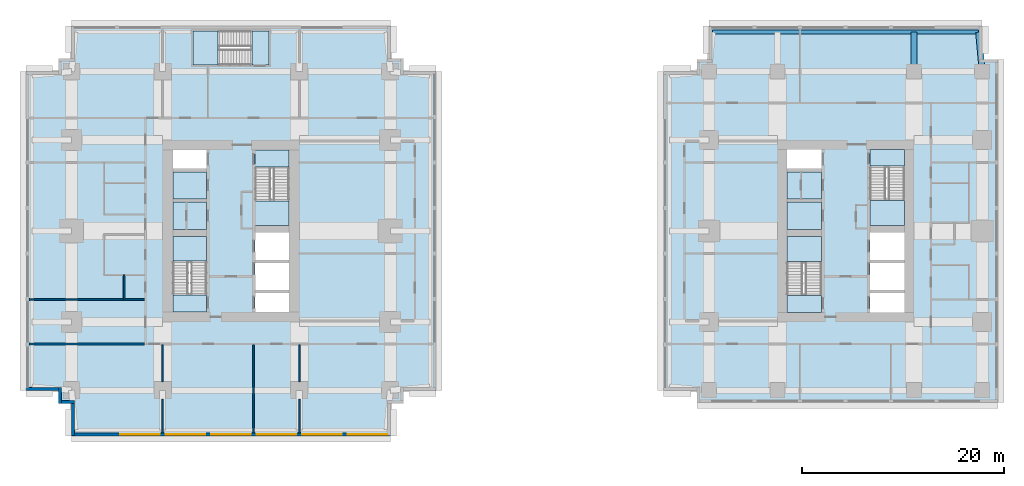
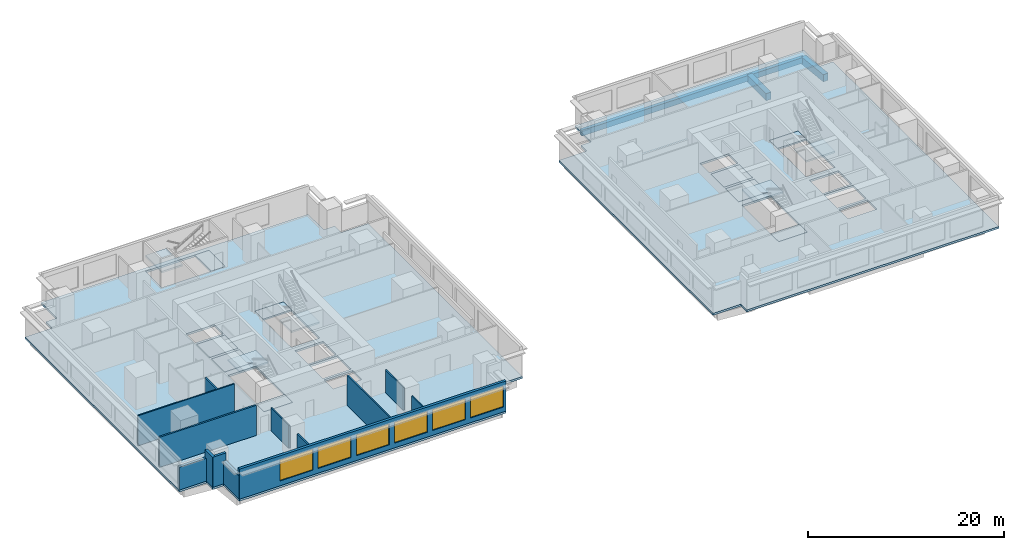
# One storey, part 2 of 10: 16 slabs, 13 walls, 6 windows, 3 beams, 6 openings, 5 elements without a shape of their own.
"""IFC4 building model written with IfcOpenShell, lengths in metres."""

from ifc_helpers import new_model, si_unit, direction, frame, frame_2d, origin, origin_2d, place, context, subcontext, project, spatial, polyline, rectangle, outline, extrude, material, layer, layer_set, material_profile, profile_set, type_object, element, fill, aggregate, save


model = new_model("IFC4")

# Units and contexts
model_context = context("Model", 3, precision=1e-05, world=origin(), true_north=direction((0.0, 1.0)))
body_context = subcontext(model_context, "Body", "Model", "MODEL_VIEW")
ifc_project = project(units=[si_unit("LENGTHUNIT", "METRE"), si_unit("AREAUNIT", "SQUARE_METRE"), si_unit("VOLUMEUNIT", "CUBIC_METRE"), si_unit("PLANEANGLEUNIT", "RADIAN"), si_unit("MASSUNIT", "GRAM", prefix="KILO")], contexts=[model_context])

# Site, building, storey
site_placement = place(None, origin())
site = spatial("IfcSite", under=ifc_project, at=site_placement, CompositionType="ELEMENT")
building_placement = place(site_placement, origin())
building = spatial("IfcBuilding", under=site, at=building_placement, Name="Namib Vertical Campus", CompositionType="ELEMENT")
storey_placement = place(building_placement, frame((0.0, 0.0, 145.0)))
storey = spatial("IfcBuildingStorey", under=building, at=storey_placement, Name="L34", CompositionType="ELEMENT", Elevation=145.0)

# Beams
ifc_material_1 = material(Name="Concrete C40/50", Category="concrete")
ifc_material_profile_1 = material_profile(ifc_material_1, rectangle(XDim=0.60009765625, YDim=0.89990234375, at=origin_2d()))
ifc_profile_set_1 = profile_set([ifc_material_profile_1], Name="Concrete C40/50")
beam_type_1 = type_object("IfcBeamType", Name="Cantilever girder RC 600x900", PredefinedType="BEAM", material=ifc_profile_set_1)
beam_1_placement = place(storey_placement, frame((87.75, 36.0, -0.699951171875), z_axis=(0.0, 1.0, 0.0), x_axis=(-1.0, 0.0, 0.0)))
element("IfcBeam", 1, at=beam_1_placement, inside=storey, type_object=beam_type_1, Name="Beam B3 L34", PredefinedType="BEAM", context=body_context, shape_type="SweptSolid", body=[
    extrude(rectangle(XDim=0.60009765625, YDim=0.89990234375, at=origin_2d()), origin(), (0.0, 0.0, 1.0), 3.89990234375),
])
beam_2_placement = place(storey_placement, frame((94.5, 36.0, -0.699951171875), z_axis=(-0.089411326146, 0.995994786511, 0.0), x_axis=(-0.995994786511, -0.089411326146, 0.0)))
element("IfcBeam", 2, at=beam_2_placement, inside=storey, type_object=beam_type_1, Name="Beam B3 L34", PredefinedType="BEAM", context=body_context, shape_type="SweptSolid", body=[
    extrude(rectangle(XDim=0.60009765625, YDim=0.89990234375, at=origin_2d()), origin(), (0.0, 0.0, 1.0), 3.91552734375),
])
ifc_material_2 = material(Name="Concrete C40/50", Category="concrete")
ifc_material_profile_2 = material_profile(ifc_material_2, rectangle(XDim=0.39990234375, YDim=0.699951171875, at=origin_2d()))
ifc_profile_set_2 = profile_set([ifc_material_profile_2], Name="Concrete C40/50")
beam_type_2 = type_object("IfcBeamType", Name="Edge beam RC 400x700", PredefinedType="SPANDREL", material=ifc_profile_set_2)
beam_3_placement = place(storey_placement, frame((67.85009765625, 39.89990234375, -0.60009765625), z_axis=(1.0, 0.0, 0.0), x_axis=(0.0, 1.0, 0.0)))
element("IfcBeam", 3, at=beam_3_placement, inside=storey, type_object=beam_type_2, Name="Beam B4 L34", PredefinedType="SPANDREL", context=body_context, shape_type="SweptSolid", body=[
    extrude(rectangle(XDim=0.39990234375, YDim=0.699951171875, at=origin_2d()), origin(), (0.0, 0.0, 1.0), 26.2998046875),
])

# Slabs
ifc_material_3 = material(Name="Concrete C40/50", Category="concrete")
ifc_layer_1 = layer(ifc_material_3, 0.25)
ifc_layer_set_1 = layer_set([ifc_layer_1], Name="Concrete C40/50")
slab_type_1 = type_object("IfcSlabType", Name="Floor slab 250", PredefinedType="FLOOR", material=ifc_layer_set_1)
slab_1_placement = place(storey_placement, frame((0.0, 0.0, -0.25)))
element("IfcSlab", 4, at=slab_1_placement, inside=storey, type_object=slab_type_1, Name="Floor slab A L34", PredefinedType="FLOOR", context=body_context, shape_type="SweptSolid", body=[
    extrude(outline(polyline([(4.5, 0.0), (36.0, 0.0), (36.0, 3.199951171875), (37.300048828125, 3.199951171875), (37.300048828125, 4.5), (40.5, 4.5), (40.5, 36.0), (37.300048828125, 36.0), (37.300048828125, 37.300048828125), (36.0, 37.300048828125), (36.0, 40.5), (4.5, 40.5), (4.5, 37.300048828125), (3.199951171875, 37.300048828125), (3.199951171875, 36.0), (0.0, 36.0), (0.0, 4.5), (3.199951171875, 4.5), (3.199951171875, 3.199951171875), (4.5, 3.199951171875), (4.5, 0.0)]), holes=[polyline([(14.5, 12.25), (17.85009765625, 12.25), (17.85009765625, 19.699951171875), (14.5, 19.699951171875), (14.5, 12.25)]), polyline([(22.64990234375, 20.800048828125), (26.0, 20.800048828125), (26.0, 28.25), (22.64990234375, 28.25), (22.64990234375, 20.800048828125)]), polyline([(22.64990234375, 12.25), (26.0, 12.25), (26.0, 14.10009765625), (22.64990234375, 14.10009765625), (22.64990234375, 12.25)]), polyline([(14.5, 20.39990234375), (17.85009765625, 20.39990234375), (17.85009765625, 23.10009765625), (14.5, 23.10009765625), (14.5, 20.39990234375)]), polyline([(14.5, 23.39990234375), (17.85009765625, 23.39990234375), (17.85009765625, 26.10009765625), (14.5, 26.10009765625), (14.5, 23.39990234375)]), polyline([(14.5, 26.39990234375), (17.85009765625, 26.39990234375), (17.85009765625, 28.25), (14.5, 28.25), (14.5, 26.39990234375)]), polyline([(22.64990234375, 14.39990234375), (26.0, 14.39990234375), (26.0, 17.10009765625), (22.64990234375, 17.10009765625), (22.64990234375, 14.39990234375)]), polyline([(22.64990234375, 17.39990234375), (26.0, 17.39990234375), (26.0, 20.10009765625), (22.64990234375, 20.10009765625), (22.64990234375, 17.39990234375)]), polyline([(16.5, 36.64990234375), (24.0, 36.64990234375), (24.0, 40.0), (16.5, 40.0), (16.5, 36.64990234375)])]), origin(), (0.0, 0.0, 1.0), 0.25),
])
slab_2_placement = place(storey_placement, frame((0.0, 0.0, -0.25)))
element("IfcSlab", 5, at=slab_2_placement, inside=storey, type_object=slab_type_1, Name="Floor slab B L34", PredefinedType="FLOOR", context=body_context, shape_type="SweptSolid", body=[
    extrude(outline(polyline([(63.0, 4.5), (66.300048828125, 4.5), (66.300048828125, 3.300048828125), (96.050048828125, 3.300048828125), (96.050048828125, 37.199951171875), (94.5, 37.199951171875), (94.5, 40.5), (67.5, 40.5), (67.5, 37.199951171875), (66.300048828125, 37.199951171875), (66.300048828125, 36.0), (63.0, 36.0), (63.0, 4.5)]), holes=[polyline([(75.199951171875, 12.199951171875), (78.60009765625, 12.199951171875), (78.60009765625, 19.699951171875), (75.199951171875, 19.699951171875), (75.199951171875, 12.199951171875)]), polyline([(83.39990234375, 20.800048828125), (86.800048828125, 20.800048828125), (86.800048828125, 28.300048828125), (83.39990234375, 28.300048828125), (83.39990234375, 20.800048828125)]), polyline([(83.39990234375, 12.199951171875), (86.800048828125, 12.199951171875), (86.800048828125, 14.10009765625), (83.39990234375, 14.10009765625), (83.39990234375, 12.199951171875)]), polyline([(75.199951171875, 20.39990234375), (78.60009765625, 20.39990234375), (78.60009765625, 23.10009765625), (75.199951171875, 23.10009765625), (75.199951171875, 20.39990234375)]), polyline([(75.199951171875, 23.39990234375), (78.60009765625, 23.39990234375), (78.60009765625, 26.10009765625), (75.199951171875, 26.10009765625), (75.199951171875, 23.39990234375)]), polyline([(75.199951171875, 26.39990234375), (78.60009765625, 26.39990234375), (78.60009765625, 28.300048828125), (75.199951171875, 28.300048828125), (75.199951171875, 26.39990234375)]), polyline([(83.39990234375, 14.39990234375), (86.800048828125, 14.39990234375), (86.800048828125, 17.10009765625), (83.39990234375, 17.10009765625), (83.39990234375, 14.39990234375)]), polyline([(83.39990234375, 17.39990234375), (86.800048828125, 17.39990234375), (86.800048828125, 20.10009765625), (83.39990234375, 20.10009765625), (83.39990234375, 17.39990234375)])]), origin(), (0.0, 0.0, 1.0), 0.25),
])
ifc_material_4 = material(Name="Concrete C40/50 precast", Category="concrete")
ifc_layer_2 = layer(ifc_material_4, 0.25)
ifc_layer_set_2 = layer_set([ifc_layer_2], Name="Concrete C40/50 precast")
slab_type_2 = type_object("IfcSlabType", Name="Shaft infill floor 250", PredefinedType="FLOOR", material=ifc_layer_set_2)
slab_3_placement = place(storey_placement, frame((0.0, 0.0, -0.25)))
element("IfcSlab", 6, at=slab_3_placement, inside=storey, type_object=slab_type_2, Name="Shaft infill floor A L34 P1", PredefinedType="FLOOR", context=body_context, shape_type="SweptSolid", body=[
    extrude(outline(polyline([(14.5, 20.39990234375), (17.85009765625, 20.39990234375), (17.85009765625, 23.10009765625), (14.5, 23.10009765625), (14.5, 20.39990234375)])), origin(), (0.0, 0.0, 1.0), 0.25),
])
slab_4_placement = place(storey_placement, frame((0.0, 0.0, -0.25)))
element("IfcSlab", 7, at=slab_4_placement, inside=storey, type_object=slab_type_2, Name="Shaft infill floor A L34 P2", PredefinedType="FLOOR", context=body_context, shape_type="SweptSolid", body=[
    extrude(outline(polyline([(14.5, 23.39990234375), (17.85009765625, 23.39990234375), (17.85009765625, 26.10009765625), (14.5, 26.10009765625), (14.5, 23.39990234375)])), origin(), (0.0, 0.0, 1.0), 0.25),
])
slab_5_placement = place(storey_placement, frame((0.0, 0.0, -0.25)))
element("IfcSlab", 8, at=slab_5_placement, inside=storey, type_object=slab_type_2, Name="Shaft infill floor B L34 P1", PredefinedType="FLOOR", context=body_context, shape_type="SweptSolid", body=[
    extrude(outline(polyline([(75.199951171875, 20.39990234375), (78.60009765625, 20.39990234375), (78.60009765625, 23.10009765625), (75.199951171875, 23.10009765625), (75.199951171875, 20.39990234375)])), origin(), (0.0, 0.0, 1.0), 0.25),
])
slab_6_placement = place(storey_placement, frame((0.0, 0.0, -0.25)))
element("IfcSlab", 9, at=slab_6_placement, inside=storey, type_object=slab_type_2, Name="Shaft infill floor B L34 P2", PredefinedType="FLOOR", context=body_context, shape_type="SweptSolid", body=[
    extrude(outline(polyline([(75.199951171875, 23.39990234375), (78.60009765625, 23.39990234375), (78.60009765625, 26.10009765625), (75.199951171875, 26.10009765625), (75.199951171875, 23.39990234375)])), origin(), (0.0, 0.0, 1.0), 0.25),
])

# Stair, slabs
ifc_material_5 = material(Name="Concrete C40/50 precast", Category="concrete")
stair_type_1 = type_object("IfcStairType", Name="Exit stair 4000 rise 24 risers 3350 wide", PredefinedType="HALF_TURN_STAIR", material=ifc_material_5)
stair_1_placement = place(storey_placement, origin())
stair_1 = element("IfcStair", 10, at=stair_1_placement, inside=storey, type_object=stair_type_1, Name="Exit stair A-S1 L34", PredefinedType="HALF_TURN_STAIR")
ifc_material_6 = material(Name="Concrete C40/50", Category="concrete")
ifc_layer_3 = layer(ifc_material_6, 0.199951171875)
ifc_layer_set_3 = layer_set([ifc_layer_3], Name="Concrete C40/50")
slab_type_3 = type_object("IfcSlabType", Name="Stair landing 200", PredefinedType="LANDING", material=ifc_layer_set_3)
slab_7_placement = place(storey_placement, frame((0.0, 0.0, -0.199951171875)))
slab_7 = element("IfcSlab", 11, at=slab_7_placement, type_object=slab_type_3, Name="A-S1 landing 1", PredefinedType="LANDING", context=body_context, shape_type="SweptSolid", body=[
    extrude(outline(polyline([(14.5, 12.25), (17.85009765625, 12.25), (17.85009765625, 13.90380859375), (14.5, 13.90380859375), (14.5, 12.25)])), origin(), (0.0, 0.0, 1.0), 0.199951171875),
])
slab_8_placement = place(storey_placement, frame((0.0, 0.0, 1.800048828125)))
slab_8 = element("IfcSlab", 12, at=slab_8_placement, type_object=slab_type_3, Name="A-S1 landing 2", PredefinedType="LANDING", context=body_context, shape_type="SweptSolid", body=[
    extrude(outline(polyline([(14.5, 17.276123046875), (17.85009765625, 17.276123046875), (17.85009765625, 19.699951171875), (14.5, 19.699951171875), (14.5, 17.276123046875)])), origin(), (0.0, 0.0, 1.0), 0.199951171875),
])
aggregate(stair_1, [slab_7, slab_8])

stair_2_placement = place(storey_placement, origin())
stair_2 = element("IfcStair", 13, at=stair_2_placement, inside=storey, type_object=stair_type_1, Name="Exit stair A-S2 L34", PredefinedType="HALF_TURN_STAIR")
slab_9_placement = place(storey_placement, frame((0.0, 0.0, -0.199951171875)))
slab_9 = element("IfcSlab", 14, at=slab_9_placement, type_object=slab_type_3, Name="A-S2 landing 1", PredefinedType="LANDING", context=body_context, shape_type="SweptSolid", body=[
    extrude(outline(polyline([(22.64990234375, 26.59619140625), (26.0, 26.59619140625), (26.0, 28.25), (22.64990234375, 28.25), (22.64990234375, 26.59619140625)])), origin(), (0.0, 0.0, 1.0), 0.199951171875),
])
slab_10_placement = place(storey_placement, frame((0.0, 0.0, 1.800048828125)))
slab_10 = element("IfcSlab", 15, at=slab_10_placement, type_object=slab_type_3, Name="A-S2 landing 2", PredefinedType="LANDING", context=body_context, shape_type="SweptSolid", body=[
    extrude(outline(polyline([(22.64990234375, 20.800048828125), (26.0, 20.800048828125), (26.0, 23.223876953125), (22.64990234375, 23.223876953125), (22.64990234375, 20.800048828125)])), origin(), (0.0, 0.0, 1.0), 0.199951171875),
])
aggregate(stair_2, [slab_9, slab_10])

ifc_material_7 = material(Name="Concrete C40/50 precast", Category="concrete")
stair_type_2 = type_object("IfcStairType", Name="Exit stair 4000 rise 24 risers 3400 wide", PredefinedType="HALF_TURN_STAIR", material=ifc_material_7)
stair_3_placement = place(storey_placement, origin())
stair_3 = element("IfcStair", 16, at=stair_3_placement, inside=storey, type_object=stair_type_2, Name="Exit stair B-S1 L34", PredefinedType="HALF_TURN_STAIR")
slab_11_placement = place(storey_placement, frame((0.0, 0.0, -0.199951171875)))
slab_11 = element("IfcSlab", 17, at=slab_11_placement, type_object=slab_type_3, Name="B-S1 landing 1", PredefinedType="LANDING", context=body_context, shape_type="SweptSolid", body=[
    extrude(outline(polyline([(75.199951171875, 12.199951171875), (78.60009765625, 12.199951171875), (78.60009765625, 13.85400390625), (75.199951171875, 13.85400390625), (75.199951171875, 12.199951171875)])), origin(), (0.0, 0.0, 1.0), 0.199951171875),
])
slab_12_placement = place(storey_placement, frame((0.0, 0.0, 1.800048828125)))
slab_12 = element("IfcSlab", 18, at=slab_12_placement, type_object=slab_type_3, Name="B-S1 landing 2", PredefinedType="LANDING", context=body_context, shape_type="SweptSolid", body=[
    extrude(outline(polyline([(75.199951171875, 17.22607421875), (78.60009765625, 17.22607421875), (78.60009765625, 19.699951171875), (75.199951171875, 19.699951171875), (75.199951171875, 17.22607421875)])), origin(), (0.0, 0.0, 1.0), 0.199951171875),
])
aggregate(stair_3, [slab_11, slab_12])

stair_4_placement = place(storey_placement, origin())
stair_4 = element("IfcStair", 19, at=stair_4_placement, inside=storey, type_object=stair_type_2, Name="Exit stair B-S2 L34", PredefinedType="HALF_TURN_STAIR")
slab_13_placement = place(storey_placement, frame((0.0, 0.0, -0.199951171875)))
slab_13 = element("IfcSlab", 20, at=slab_13_placement, type_object=slab_type_3, Name="B-S2 landing 1", PredefinedType="LANDING", context=body_context, shape_type="SweptSolid", body=[
    extrude(outline(polyline([(83.39990234375, 26.64599609375), (86.800048828125, 26.64599609375), (86.800048828125, 28.300048828125), (83.39990234375, 28.300048828125), (83.39990234375, 26.64599609375)])), origin(), (0.0, 0.0, 1.0), 0.199951171875),
])
slab_14_placement = place(storey_placement, frame((0.0, 0.0, 1.800048828125)))
slab_14 = element("IfcSlab", 21, at=slab_14_placement, type_object=slab_type_3, Name="B-S2 landing 2", PredefinedType="LANDING", context=body_context, shape_type="SweptSolid", body=[
    extrude(outline(polyline([(83.39990234375, 20.800048828125), (86.800048828125, 20.800048828125), (86.800048828125, 23.27392578125), (83.39990234375, 23.27392578125), (83.39990234375, 20.800048828125)])), origin(), (0.0, 0.0, 1.0), 0.199951171875),
])
aggregate(stair_4, [slab_13, slab_14])

stair_5_placement = place(storey_placement, origin())
stair_5 = element("IfcStair", 22, at=stair_5_placement, inside=storey, type_object=stair_type_1, Name="Exit stair A-S3 L34", PredefinedType="HALF_TURN_STAIR")
slab_15_placement = place(storey_placement, frame((0.0, 0.0, -0.199951171875)))
slab_15 = element("IfcSlab", 23, at=slab_15_placement, type_object=slab_type_3, Name="A-S3 landing 1", PredefinedType="LANDING", context=body_context, shape_type="SweptSolid", body=[
    extrude(outline(polyline([(22.34619140625, 36.64990234375), (22.34619140625, 40.0), (24.0, 40.0), (24.0, 36.64990234375), (22.34619140625, 36.64990234375)])), origin(), (0.0, 0.0, 1.0), 0.199951171875),
])
slab_16_placement = place(storey_placement, frame((0.0, 0.0, 1.800048828125)))
slab_16 = element("IfcSlab", 24, at=slab_16_placement, type_object=slab_type_3, Name="A-S3 landing 2", PredefinedType="LANDING", context=body_context, shape_type="SweptSolid", body=[
    extrude(outline(polyline([(16.5, 36.64990234375), (16.5, 40.0), (18.973876953125, 40.0), (18.973876953125, 36.64990234375), (16.5, 36.64990234375)])), origin(), (0.0, 0.0, 1.0), 0.199951171875),
])
aggregate(stair_5, [slab_15, slab_16])

# Wall
ifc_material_8 = material(Name="Concrete masonry", Category="masonry")
ifc_layer_4 = layer(ifc_material_8, 0.199951171875)
ifc_layer_set_4 = layer_set([ifc_layer_4], Name="Corridor wall 200")
wall_type_1 = type_object("IfcWallType", Name="Corridor wall 200", PredefinedType="SOLIDWALL", material=ifc_layer_set_4)
wall_1_placement = place(storey_placement, frame((0.300048828125, 9.10009765625, 0.0), z_axis=(0.0, 0.0, 1.0), x_axis=(1.0, 0.0, 0.0)))
element("IfcWall", 25, at=wall_1_placement, inside=storey, type_object=wall_type_1, Name="Partition A L34 BSW", PredefinedType="SOLIDWALL", context=body_context, shape_type="SweptSolid", body=[
    extrude(rectangle(XDim=11.39990234375, YDim=0.199951171875, at=frame_2d((5.699951171875, 0.0))), origin(), (0.0, 0.0, 1.0), 3.75),
])

# Wall, openings, windows
ifc_material_9 = material(Name="Concrete C40/50", Category="concrete")
ifc_layer_5 = layer(ifc_material_9, 0.300048828125)
ifc_layer_set_5 = layer_set([ifc_layer_5], Name="Concrete C40/50")
wall_type_2 = type_object("IfcWallType", Name="External wall 300 board-marked concrete", PredefinedType="STANDARD", material=ifc_layer_set_5)
wall_2_placement = place(storey_placement, frame((4.52001953125, 0.14990234375, 0.0), z_axis=(0.0, 0.0, 1.0), x_axis=(1.0, 0.0, 0.0)))
wall_2 = element("IfcWall", 26, at=wall_2_placement, inside=storey, type_object=wall_type_2, Name="External wall L34 F01", PredefinedType="STANDARD", context=body_context, shape_type="SweptSolid", body=[
    extrude(rectangle(XDim=31.4599609375, YDim=0.300048828125, at=frame_2d((15.72998046875, 0.0))), origin(), (0.0, 0.0, 1.0), 3.75),
])
opening_1_placement = place(wall_2_placement, frame((4.780029296875, 0.0, 0.60009765625)))
opening_1 = element("IfcOpeningElement", 27, at=opening_1_placement, cuts=wall_2, Name="Opening W2", PredefinedType="OPENING", context=body_context, shape_type="SweptSolid", body=[
    extrude(rectangle(XDim=3.89990234375, YDim=2.60009765625, at=frame_2d((1.949951171875, 1.300048828125))), frame((0.0, 0.159912109375, 0.0), z_axis=(0.0, -1.0, 0.0), x_axis=(1.0, 0.0, 0.0)), (0.0, 0.0, 1.0), 0.320068359375),
])
opening_2_placement = place(wall_2_placement, frame((9.280029296875, 0.0, 0.60009765625)))
opening_2 = element("IfcOpeningElement", 28, at=opening_2_placement, cuts=wall_2, Name="Opening W2", PredefinedType="OPENING", context=body_context, shape_type="SweptSolid", body=[
    extrude(rectangle(XDim=3.89990234375, YDim=2.60009765625, at=frame_2d((1.949951171875, 1.300048828125))), frame((0.0, 0.159912109375, 0.0), z_axis=(0.0, -1.0, 0.0), x_axis=(1.0, 0.0, 0.0)), (0.0, 0.0, 1.0), 0.320068359375),
])
opening_3_placement = place(wall_2_placement, frame((13.780029296875, 0.0, 0.60009765625)))
opening_3 = element("IfcOpeningElement", 29, at=opening_3_placement, cuts=wall_2, Name="Opening W2", PredefinedType="OPENING", context=body_context, shape_type="SweptSolid", body=[
    extrude(rectangle(XDim=3.89990234375, YDim=2.60009765625, at=frame_2d((1.949951171875, 1.300048828125))), frame((0.0, 0.159912109375, 0.0), z_axis=(0.0, -1.0, 0.0), x_axis=(1.0, 0.0, 0.0)), (0.0, 0.0, 1.0), 0.320068359375),
])
opening_4_placement = place(wall_2_placement, frame((18.280029296875, 0.0, 0.60009765625)))
opening_4 = element("IfcOpeningElement", 30, at=opening_4_placement, cuts=wall_2, Name="Opening W2", PredefinedType="OPENING", context=body_context, shape_type="SweptSolid", body=[
    extrude(rectangle(XDim=3.89990234375, YDim=2.60009765625, at=frame_2d((1.949951171875, 1.300048828125))), frame((0.0, 0.159912109375, 0.0), z_axis=(0.0, -1.0, 0.0), x_axis=(1.0, 0.0, 0.0)), (0.0, 0.0, 1.0), 0.320068359375),
])
opening_5_placement = place(wall_2_placement, frame((22.780029296875, 0.0, 0.60009765625)))
opening_5 = element("IfcOpeningElement", 31, at=opening_5_placement, cuts=wall_2, Name="Opening W2", PredefinedType="OPENING", context=body_context, shape_type="SweptSolid", body=[
    extrude(rectangle(XDim=3.89990234375, YDim=2.60009765625, at=frame_2d((1.949951171875, 1.300048828125))), frame((0.0, 0.159912109375, 0.0), z_axis=(0.0, -1.0, 0.0), x_axis=(1.0, 0.0, 0.0)), (0.0, 0.0, 1.0), 0.320068359375),
])
opening_6_placement = place(wall_2_placement, frame((27.280029296875, 0.0, 0.60009765625)))
opening_6 = element("IfcOpeningElement", 32, at=opening_6_placement, cuts=wall_2, Name="Opening W2", PredefinedType="OPENING", context=body_context, shape_type="SweptSolid", body=[
    extrude(rectangle(XDim=3.89990234375, YDim=2.60009765625, at=frame_2d((1.949951171875, 1.300048828125))), frame((0.0, 0.159912109375, 0.0), z_axis=(0.0, -1.0, 0.0), x_axis=(1.0, 0.0, 0.0)), (0.0, 0.0, 1.0), 0.320068359375),
])
ifc_material_10 = material(Name="Dark tinted glass in black aluminium frame", Category="aluminium")
window_type = type_object("IfcWindowType", Name="Ribbon window 3900x2600", PartitioningType="SINGLE_PANEL", PredefinedType="WINDOW", material=ifc_material_10)
window_1_placement = place(opening_1_placement, origin())
window_1 = element("IfcWindow", 33, at=window_1_placement, inside=storey, type_object=window_type, Name="Window W2 L34 F01-2", OverallHeight=2.60009765625, OverallWidth=3.89990234375, PartitioningType="SINGLE_PANEL", PredefinedType="WINDOW", context=body_context, shape_type="SweptSolid", body=[
    extrude(rectangle(XDim=3.89990234375, YDim=2.60009765625, at=frame_2d((1.949951171875, 1.300048828125))), frame((0.0, 0.030029296875, 0.0), z_axis=(0.0, -1.0, 0.0), x_axis=(1.0, 0.0, 0.0)), (0.0, 0.0, 1.0), 0.06005859375),
])
fill(opening_1, window_1)
window_2_placement = place(opening_2_placement, origin())
window_2 = element("IfcWindow", 34, at=window_2_placement, inside=storey, type_object=window_type, Name="Window W2 L34 F01-3", OverallHeight=2.60009765625, OverallWidth=3.89990234375, PartitioningType="SINGLE_PANEL", PredefinedType="WINDOW", context=body_context, shape_type="SweptSolid", body=[
    extrude(rectangle(XDim=3.89990234375, YDim=2.60009765625, at=frame_2d((1.949951171875, 1.300048828125))), frame((0.0, 0.030029296875, 0.0), z_axis=(0.0, -1.0, 0.0), x_axis=(1.0, 0.0, 0.0)), (0.0, 0.0, 1.0), 0.06005859375),
])
fill(opening_2, window_2)
window_3_placement = place(opening_3_placement, origin())
window_3 = element("IfcWindow", 35, at=window_3_placement, inside=storey, type_object=window_type, Name="Window W2 L34 F01-4", OverallHeight=2.60009765625, OverallWidth=3.89990234375, PartitioningType="SINGLE_PANEL", PredefinedType="WINDOW", context=body_context, shape_type="SweptSolid", body=[
    extrude(rectangle(XDim=3.89990234375, YDim=2.60009765625, at=frame_2d((1.949951171875, 1.300048828125))), frame((0.0, 0.030029296875, 0.0), z_axis=(0.0, -1.0, 0.0), x_axis=(1.0, 0.0, 0.0)), (0.0, 0.0, 1.0), 0.06005859375),
])
fill(opening_3, window_3)
window_4_placement = place(opening_4_placement, origin())
window_4 = element("IfcWindow", 36, at=window_4_placement, inside=storey, type_object=window_type, Name="Window W2 L34 F01-5", OverallHeight=2.60009765625, OverallWidth=3.89990234375, PartitioningType="SINGLE_PANEL", PredefinedType="WINDOW", context=body_context, shape_type="SweptSolid", body=[
    extrude(rectangle(XDim=3.89990234375, YDim=2.60009765625, at=frame_2d((1.949951171875, 1.300048828125))), frame((0.0, 0.030029296875, 0.0), z_axis=(0.0, -1.0, 0.0), x_axis=(1.0, 0.0, 0.0)), (0.0, 0.0, 1.0), 0.06005859375),
])
fill(opening_4, window_4)
window_5_placement = place(opening_5_placement, origin())
window_5 = element("IfcWindow", 37, at=window_5_placement, inside=storey, type_object=window_type, Name="Window W2 L34 F01-6", OverallHeight=2.60009765625, OverallWidth=3.89990234375, PartitioningType="SINGLE_PANEL", PredefinedType="WINDOW", context=body_context, shape_type="SweptSolid", body=[
    extrude(rectangle(XDim=3.89990234375, YDim=2.60009765625, at=frame_2d((1.949951171875, 1.300048828125))), frame((0.0, 0.030029296875, 0.0), z_axis=(0.0, -1.0, 0.0), x_axis=(1.0, 0.0, 0.0)), (0.0, 0.0, 1.0), 0.06005859375),
])
fill(opening_5, window_5)
window_6_placement = place(opening_6_placement, origin())
window_6 = element("IfcWindow", 38, at=window_6_placement, inside=storey, type_object=window_type, Name="Window W2 L34 F01-7", OverallHeight=2.60009765625, OverallWidth=3.89990234375, PartitioningType="SINGLE_PANEL", PredefinedType="WINDOW", context=body_context, shape_type="SweptSolid", body=[
    extrude(rectangle(XDim=3.89990234375, YDim=2.60009765625, at=frame_2d((1.949951171875, 1.300048828125))), frame((0.0, 0.030029296875, 0.0), z_axis=(0.0, -1.0, 0.0), x_axis=(1.0, 0.0, 0.0)), (0.0, 0.0, 1.0), 0.06005859375),
])
fill(opening_6, window_6)

# Walls
wall_3_placement = place(storey_placement, frame((0.02001953125, 4.64990234375, 0.0), z_axis=(0.0, 0.0, 1.0), x_axis=(1.0, 0.0, 0.0)))
element("IfcWall", 39, at=wall_3_placement, inside=storey, type_object=wall_type_2, Name="External wall L34 F17", PredefinedType="STANDARD", context=body_context, shape_type="SweptSolid", body=[
    extrude(rectangle(XDim=3.4599609375, YDim=0.300048828125, at=frame_2d((1.72998046875, 0.0))), origin(), (0.0, 0.0, 1.0), 2.85009765625),
])
for number, where, z_axis, x_axis, name in (
    (40, (3.35009765625, 4.780029296875, 0.0), (0.0, 0.0, 1.0), (0.0, -1.0, 0.0), "External wall L34 F18"),
    (41, (3.219970703125, 3.35009765625, 0.0), (0.0, 0.0, 1.0), (1.0, 0.0, 0.0), "External wall L34 F19"),
):
    element("IfcWall", number, at=place(storey_placement, frame(where, z_axis=z_axis, x_axis=x_axis)), inside=storey, type_object=wall_type_2, Name=name, PredefinedType="STANDARD", context=body_context, shape_type="SweptSolid", body=[
        extrude(rectangle(XDim=1.56005859375, YDim=0.300048828125, at=frame_2d((0.780029296875, 0.0))), origin(), (0.0, 0.0, 1.0), 3.75),
    ])
wall_4_placement = place(storey_placement, frame((4.64990234375, 3.47998046875, 0.0), z_axis=(0.0, 0.0, 1.0), x_axis=(0.0, -1.0, 0.0)))
element("IfcWall", 42, at=wall_4_placement, inside=storey, type_object=wall_type_2, Name="External wall L34 F20", PredefinedType="STANDARD", context=body_context, shape_type="SweptSolid", body=[
    extrude(rectangle(XDim=3.4599609375, YDim=0.300048828125, at=frame_2d((1.72998046875, 0.0))), origin(), (0.0, 0.0, 1.0), 2.85009765625),
])
ifc_material_11 = material(Name="Gypsum board on steel studs", Category="steel")
ifc_layer_6 = layer(ifc_material_11, 0.14990234375)
ifc_layer_set_6 = layer_set([ifc_layer_6], Name="Gypsum board on steel studs")
wall_type_3 = type_object("IfcWallType", Name="Partition 150", PredefinedType="PARTITIONING", material=ifc_layer_set_6)
wall_5_placement = place(storey_placement, frame((13.5, 0.300048828125, 0.0), z_axis=(0.0, 0.0, 1.0), x_axis=(0.0, 1.0, 0.0)))
element("IfcWall", 43, at=wall_5_placement, inside=storey, type_object=wall_type_3, Name="Partition A L34 PS1", PredefinedType="PARTITIONING", context=body_context, shape_type="SweptSolid", body=[
    extrude(rectangle(XDim=3.329833984375, YDim=0.14990234375, at=frame_2d((1.6650390625, 0.0))), origin(), (0.0, 0.0, 1.0), 2.85009765625),
])
wall_6_placement = place(storey_placement, frame((13.5, 5.3701171875, 0.0), z_axis=(0.0, 0.0, 1.0), x_axis=(0.0, 1.0, 0.0)))
element("IfcWall", 44, at=wall_6_placement, inside=storey, type_object=wall_type_3, Name="Partition A L34 PS1", PredefinedType="PARTITIONING", context=body_context, shape_type="SweptSolid", body=[
    extrude(rectangle(XDim=3.6298828125, YDim=0.14990234375, at=frame_2d((1.81494140625, 0.0))), origin(), (0.0, 0.0, 1.0), 2.85009765625),
])
wall_7_placement = place(storey_placement, frame((22.5, 0.300048828125, 0.0), z_axis=(0.0, 0.0, 1.0), x_axis=(0.0, 1.0, 0.0)))
element("IfcWall", 45, at=wall_7_placement, inside=storey, type_object=wall_type_3, Name="Partition A L34 PS2", PredefinedType="PARTITIONING", context=body_context, shape_type="SweptSolid", body=[
    extrude(rectangle(XDim=8.699951171875, YDim=0.14990234375, at=frame_2d((4.35009765625, 0.0))), origin(), (0.0, 0.0, 1.0), 3.75),
])
wall_8_placement = place(storey_placement, frame((27.0, 0.300048828125, 0.0), z_axis=(0.0, 0.0, 1.0), x_axis=(0.0, 1.0, 0.0)))
element("IfcWall", 46, at=wall_8_placement, inside=storey, type_object=wall_type_3, Name="Partition A L34 PS3", PredefinedType="PARTITIONING", context=body_context, shape_type="SweptSolid", body=[
    extrude(rectangle(XDim=3.329833984375, YDim=0.14990234375, at=frame_2d((1.6650390625, 0.0))), origin(), (0.0, 0.0, 1.0), 2.85009765625),
])
wall_9_placement = place(storey_placement, frame((27.0, 5.3701171875, 0.0), z_axis=(0.0, 0.0, 1.0), x_axis=(0.0, 1.0, 0.0)))
element("IfcWall", 47, at=wall_9_placement, inside=storey, type_object=wall_type_3, Name="Partition A L34 PS3", PredefinedType="PARTITIONING", context=body_context, shape_type="SweptSolid", body=[
    extrude(rectangle(XDim=3.6298828125, YDim=0.14990234375, at=frame_2d((1.81494140625, 0.0))), origin(), (0.0, 0.0, 1.0), 2.85009765625),
])
wall_10_placement = place(storey_placement, frame((0.300048828125, 13.5, 0.0), z_axis=(0.0, 0.0, 1.0), x_axis=(1.0, 0.0, 0.0)))
element("IfcWall", 48, at=wall_10_placement, inside=storey, type_object=wall_type_3, Name="Partition A L34 PW1", PredefinedType="PARTITIONING", context=body_context, shape_type="SweptSolid", body=[
    extrude(rectangle(XDim=11.39990234375, YDim=0.14990234375, at=frame_2d((5.699951171875, 0.0))), origin(), (0.0, 0.0, 1.0), 3.75),
])
wall_11_placement = place(storey_placement, frame((9.699951171875, 13.5, 0.0), z_axis=(0.0, 0.0, 1.0), x_axis=(0.0, 1.0, 0.0)))
element("IfcWall", 49, at=wall_11_placement, inside=storey, type_object=wall_type_3, Name="Partition A L34 WB1", PredefinedType="PARTITIONING", context=body_context, shape_type="SweptSolid", body=[
    extrude(rectangle(XDim=2.39990234375, YDim=0.14990234375, at=frame_2d((1.199951171875, 0.0))), origin(), (0.0, 0.0, 1.0), 3.75),
])

save(model, "model.ifc")
